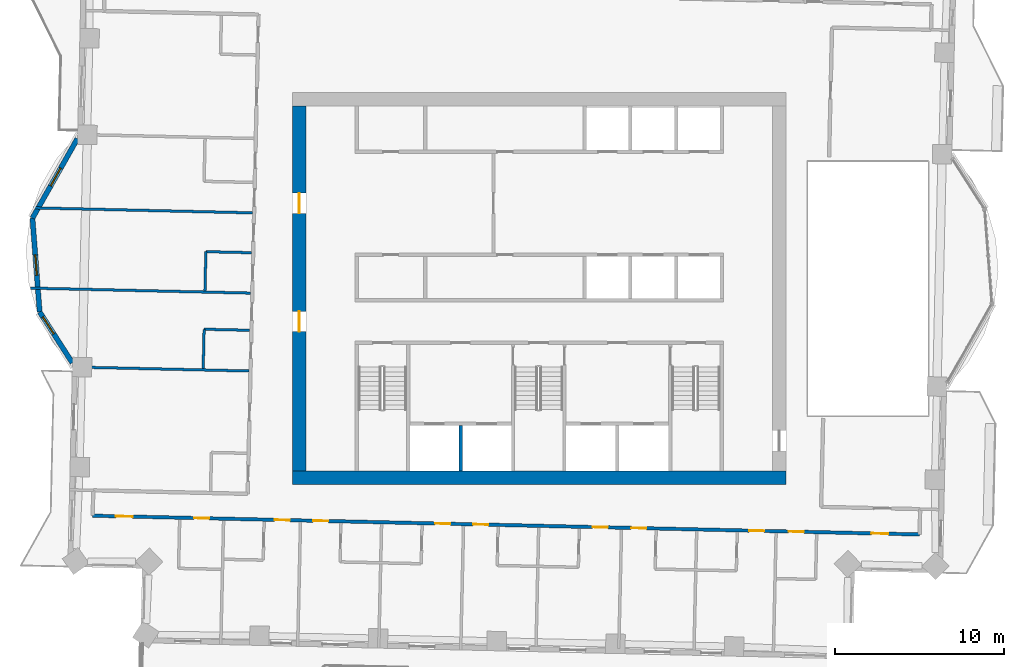
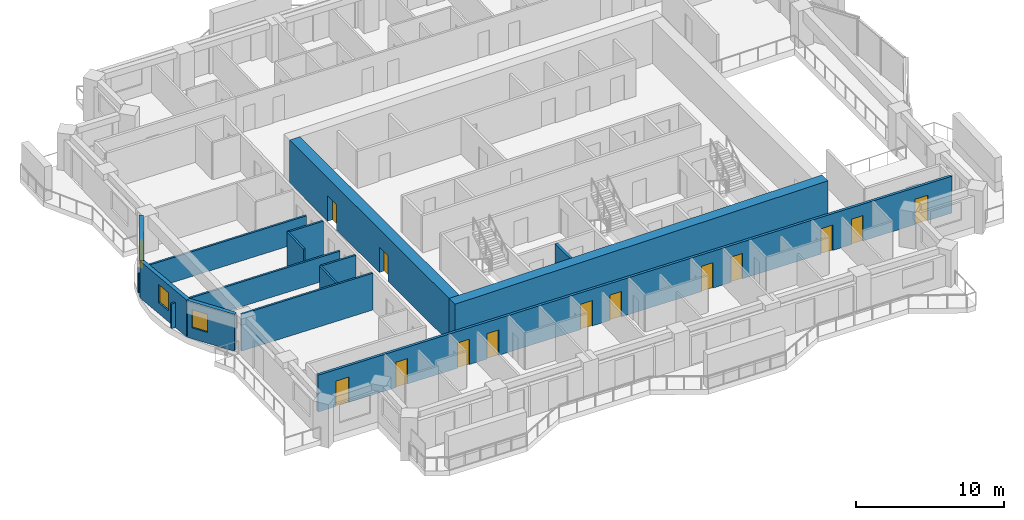
# One storey, part 5 of 14: 14 walls, 13 doors, 3 windows, 16 openings.
"""IFC4 building model written with IfcOpenShell, lengths in metres."""

import ifcopenshell
import ifcopenshell.guid

model = None  # the IFC model being written
_history = None  # IfcOwnerHistory: only IFC2X3 demands one
_inside = {}  # id of a spatial element -> (the spatial element, [elements in it])
_under = {}  # id of a project, library or spatial element -> (it, [spatial elements below it])
_declared = {}  # id of a project -> (the project, [libraries it declares])
_typed = {}  # id of a type object -> (the type object, [elements of that type])
_made_of = {}  # id of a material, layer set ... -> (it, [elements and type objects made of it])


def new_model(schema):
    """Start an empty IFC model of exactly this schema.

    Asked for "IFC4X3", IfcOpenShell would pick the latest addendum, in which some entities
    have other attributes; the version numbers below select the first issue.
    IFC2X3 requires an IfcOwnerHistory on every rooted entity: one is made here for all.
    """
    global model, _history
    if schema == "IFC4X3":
        model = ifcopenshell.file(schema_version=(4, 3, 0, 0))
    else:
        model = ifcopenshell.file(schema=schema)
    _inside.clear()
    _under.clear()
    _declared.clear()
    _typed.clear()
    _made_of.clear()
    _history = None
    if model.schema == "IFC2X3":
        org = make("IfcOrganization", Name="unknown")
        user = make(
            "IfcPersonAndOrganization",
            ThePerson=make("IfcPerson", FamilyName="unknown"),
            TheOrganization=org,
        )
        app = make(
            "IfcApplication",
            ApplicationDeveloper=org,
            Version="unknown",
            ApplicationFullName="unknown",
            ApplicationIdentifier="unknown",
        )
        _history = make(
            "IfcOwnerHistory",
            OwningUser=user,
            OwningApplication=app,
            ChangeAction="ADDED",
            CreationDate=0,
        )
    return model


def make(cls, **values):
    """One entity of the class cls with the attributes given. An attribute that is None is left unset."""
    return model.create_entity(
        cls, **{name: value for name, value in values.items() if value is not None}
    )


def rooted(cls, **values):
    """An entity with a GlobalId (a new one), such as an element, a storey or a relation."""
    return make(cls, GlobalId=ifcopenshell.guid.new(), OwnerHistory=_history, **values)


def si_unit(unit_type, name, prefix=None):
    """IfcSIUnit, for example si_unit("LENGTHUNIT", "METRE", prefix="MILLI")."""
    return make("IfcSIUnit", UnitType=unit_type, Prefix=prefix, Name=name)


def assignment(units):
    """IfcUnitAssignment: the units of a project."""
    return None if units is None else make("IfcUnitAssignment", Units=units)


def point(xyz):
    """IfcCartesianPoint."""
    return None if xyz is None else make("IfcCartesianPoint", Coordinates=xyz)


def direction(xyz):
    """IfcDirection."""
    return None if xyz is None else make("IfcDirection", DirectionRatios=xyz)


def frame(location, z_axis=None, x_axis=None):
    """IfcAxis2Placement3D, a coordinate frame: its origin and axes. An axis left out is left unset."""
    return make(
        "IfcAxis2Placement3D",
        Location=point(location),
        Axis=direction(z_axis),
        RefDirection=direction(x_axis),
    )


def frame_2d(location, x_axis=None):
    """IfcAxis2Placement2D, a coordinate frame in the plane: its origin and x axis."""
    return make(
        "IfcAxis2Placement2D", Location=point(location), RefDirection=direction(x_axis)
    )


def origin():
    """The frame at (0, 0, 0) with its axes left unset."""
    return frame((0.0, 0.0, 0.0))


def place(relative_to, where):
    """IfcLocalPlacement: puts the frame where relative to a parent placement (None: the world)."""
    return make(
        "IfcLocalPlacement", PlacementRelTo=relative_to, RelativePlacement=where
    )


def context(
    kind, dimensions, precision=None, world=None, true_north=None, identifier=None
):
    """IfcGeometricRepresentationContext, for example the 3D "Model" context."""
    return make(
        "IfcGeometricRepresentationContext",
        ContextIdentifier=identifier,
        ContextType=kind,
        CoordinateSpaceDimension=dimensions,
        Precision=precision,
        WorldCoordinateSystem=world,
        TrueNorth=true_north,
    )


def subcontext(parent, identifier, kind, view, scale=None):
    """IfcGeometricRepresentationSubContext, for example "Body" below "Model"."""
    return make(
        "IfcGeometricRepresentationSubContext",
        ContextIdentifier=identifier,
        ContextType=kind,
        ParentContext=parent,
        TargetScale=scale,
        TargetView=view,
    )


def project(units=None, contexts=None):
    """IfcProject with its units and contexts."""
    return rooted(
        "IfcProject",
        Name="project",
        RepresentationContexts=contexts,
        UnitsInContext=assignment(units),
    )


def spatial(cls, under=None, at=None, **own):
    """A site, building, storey or space (cls), placed at a placement, below another one or the project."""
    s = rooted(cls, ObjectPlacement=at, **own)
    if under is not None:
        _under.setdefault(under.id(), (under, []))[1].append(s)
    return s


def profile(cls, at=None, kind="AREA", **sizes):
    """A parametric profile (cls). Its sizes go by their IFC names, for example OverallWidth=200.0."""
    return make(cls, ProfileType=kind, Position=at, **sizes)


def rectangle(**sizes):
    """IfcRectangleProfileDef."""
    return profile("IfcRectangleProfileDef", **sizes)


def extrude(swept, where, along, depth):
    """IfcExtrudedAreaSolid: the profile swept, set in the frame where, extruded along a direction by depth."""
    return make(
        "IfcExtrudedAreaSolid",
        SweptArea=swept,
        Position=where,
        ExtrudedDirection=direction(along),
        Depth=depth,
    )


def shape(context_of_items, identifier, shape_type, items):
    """IfcShapeRepresentation: the items that make up one representation, for example the "Body"."""
    return make(
        "IfcShapeRepresentation",
        ContextOfItems=context_of_items,
        RepresentationIdentifier=identifier,
        RepresentationType=shape_type,
        Items=items,
    )


def material(Name=None, Category=None):
    """IfcMaterial."""
    return make("IfcMaterial", Name=Name, Category=Category)


def layer(
    of_material, thickness, ventilated=None, Name=None, Category=None, Priority=None
):
    """IfcMaterialLayer: one layer of a wall or slab, of a material (None: an air gap)."""
    return make(
        "IfcMaterialLayer",
        Material=of_material,
        LayerThickness=thickness,
        IsVentilated=ventilated,
        Name=Name,
        Category=Category,
        Priority=Priority,
    )


def layer_set(layers, Name=None):
    """IfcMaterialLayerSet."""
    return make("IfcMaterialLayerSet", MaterialLayers=layers, LayerSetName=Name)


def made_of(thing, what):
    """Note that an element or type object is made of a material, layer set ...; save() writes the relation."""
    if what is not None:
        _made_of.setdefault(what.id(), (what, []))[1].append(thing)
    return thing


def type_object(cls, material=None, **own):
    """A type object (cls), such as IfcWallType, which elements share."""
    return made_of(rooted(cls, **own), material)


def element(
    cls,
    number,
    at=None,
    inside=None,
    cuts=None,
    type_object=None,
    material=None,
    context=None,
    identifier="Body",
    shape_type=None,
    held_by="IfcProductDefinitionShape",
    body=None,
    shapes=None,
    **own,
):
    """One element of the class cls, such as IfcWall. Its Tag is "e" and its number.

    at: its placement. inside: the storey or other place that contains it. cuts: it is an
    opening in that element (IfcRelVoidsElement). A single representation is given by context,
    identifier, shape_type and body (its items); several are given by shapes. held_by: the class
    of the entity that holds the representations. save() writes the other relations.
    """
    e = rooted(cls, Tag="e%d" % number, ObjectPlacement=at, **own)
    if body is not None:
        shapes = [shape(context, identifier, shape_type, body)]
    if shapes is not None:
        e.Representation = make(held_by, Representations=shapes)
    if inside is not None:
        _inside.setdefault(inside.id(), (inside, []))[1].append(e)
    if cuts is not None:
        rooted(
            "IfcRelVoidsElement", RelatingBuildingElement=cuts, RelatedOpeningElement=e
        )
    if type_object is not None:
        _typed.setdefault(type_object.id(), (type_object, []))[1].append(e)
    return made_of(e, material)


def fill(opening, filler):
    """IfcRelFillsElement: the door or window that sits in an opening."""
    return rooted(
        "IfcRelFillsElement",
        RelatingOpeningElement=opening,
        RelatedBuildingElement=filler,
    )


def aggregate(whole, parts):
    """IfcRelAggregates: a whole, such as a stair, and the parts it consists of."""
    return rooted("IfcRelAggregates", RelatingObject=whole, RelatedObjects=parts)


def save(model, path):
    """Write the relations noted so far, then the file.

    IfcRelAggregates (storeys below a building ...), IfcRelContainedInSpatialStructure (elements
    in a storey), IfcRelDefinesByType, IfcRelAssociatesMaterial and IfcRelDeclares: one each for
    every whole, place, type object, material and project.
    """
    for whole, parts in _under.values():
        aggregate(whole, parts)
    for where, things in _inside.values():
        rooted(
            "IfcRelContainedInSpatialStructure",
            RelatedElements=things,
            RelatingStructure=where,
        )
    for kind, things in _typed.values():
        rooted("IfcRelDefinesByType", RelatedObjects=things, RelatingType=kind)
    for what, things in _made_of.values():
        rooted("IfcRelAssociatesMaterial", RelatedObjects=things, RelatingMaterial=what)
    for by, libraries in _declared.values():
        rooted("IfcRelDeclares", RelatingContext=by, RelatedDefinitions=libraries)
    model.write(path)


model = new_model("IFC4")

# Units and contexts
model_context = context("Model", 3, precision=1e-05, world=origin(), true_north=direction((0.0, 1.0)))
body_context = subcontext(model_context, "Body", "Model", "MODEL_VIEW")
ifc_project = project(units=[si_unit("LENGTHUNIT", "METRE"), si_unit("AREAUNIT", "SQUARE_METRE"), si_unit("VOLUMEUNIT", "CUBIC_METRE"), si_unit("PLANEANGLEUNIT", "RADIAN"), si_unit("MASSUNIT", "GRAM", prefix="KILO")], contexts=[model_context])

# Site, building, storey
site_placement = place(None, origin())
site = spatial("IfcSite", under=ifc_project, at=site_placement, CompositionType="ELEMENT")
building_placement = place(site_placement, origin())
building = spatial("IfcBuilding", under=site, at=building_placement, Name="Mangrove Gate Tower", CompositionType="ELEMENT")
storey_placement = place(building_placement, frame((0.0, 0.0, 205.10009765625)))
storey = spatial("IfcBuildingStorey", under=building, at=storey_placement, Name="L52", CompositionType="ELEMENT", Elevation=205.10009765625)

# Walls
ifc_material_1 = material(Name="Concrete C60/75", Category="concrete")
ifc_layer_1 = layer(ifc_material_1, 0.199951171875)
ifc_layer_set_1 = layer_set([ifc_layer_1], Name="Core shaft wall 200 C60/75")
wall_type_1 = type_object("IfcWallType", Name="Core shaft wall 200 C60/75", PredefinedType="SHEAR", material=ifc_layer_set_1)
wall_1_placement = place(storey_placement, frame((-4.64990234375, -10.800048828125, 0.0), z_axis=(0.0, 0.0, 1.0), x_axis=(0.0, 1.0, 0.0)))
element("IfcWall", 1, at=wall_1_placement, inside=storey, type_object=wall_type_1, Name="WALL-L52-CORE-16", PredefinedType="SHEAR", context=body_context, shape_type="SweptSolid", body=[
    extrude(rectangle(XDim=2.699951171875, YDim=0.199951171875, at=frame_2d((1.35009765625, 0.0))), origin(), (0.0, 0.0, 1.0), 3.0498046875),
])
ifc_material_2 = material(Name="Concrete C60/75", Category="concrete")
ifc_layer_2 = layer(ifc_material_2, 0.800048828125)
ifc_layer_set_2 = layer_set([ifc_layer_2], Name="Core wall 800 C60/75")
wall_type_2 = type_object("IfcWallType", Name="Core wall 800 C60/75", PredefinedType="SHEAR", material=ifc_layer_set_2)
wall_2_placement = place(storey_placement, frame((-14.60009765625, -11.199951171875, 0.0), z_axis=(0.0, 0.0, 1.0), x_axis=(1.0, 0.0, 0.0)))
element("IfcWall", 2, at=wall_2_placement, inside=storey, type_object=wall_type_2, Name="WALL-L52-CORE-1", PredefinedType="SHEAR", context=body_context, shape_type="SweptSolid", body=[
    extrude(rectangle(XDim=29.2001953125, YDim=0.800048828125, at=frame_2d((14.60009765625, 0.0))), origin(), (0.0, 0.0, 1.0), 3.599853515625),
])

# Wall, openings, doors
wall_3_placement = place(storey_placement, frame((-14.199951171875, -10.800048828125, 0.0), z_axis=(0.0, 0.0, 1.0), x_axis=(0.0, 1.0, 0.0)))
wall_3 = element("IfcWall", 3, at=wall_3_placement, inside=storey, type_object=wall_type_2, Name="WALL-L52-CORE-3", PredefinedType="SHEAR", context=body_context, shape_type="SweptSolid", body=[
    extrude(rectangle(XDim=21.60009765625, YDim=0.800048828125, at=frame_2d((10.800048828125, 0.0))), origin(), (0.0, 0.0, 1.0), 3.599853515625),
])
opening_1_placement = place(wall_3_placement, frame((8.25, 0.0, 0.0)))
opening_1 = element("IfcOpeningElement", 4, at=opening_1_placement, cuts=wall_3, Name="Opening CD", PredefinedType="OPENING", context=body_context, shape_type="SweptSolid", body=[
    extrude(rectangle(XDim=1.199951171875, YDim=2.10009765625, at=frame_2d((0.60009765625, 1.050048828125))), frame((0.0, 0.409912109375, 0.0), z_axis=(0.0, -1.0, 0.0), x_axis=(1.0, 0.0, 0.0)), (0.0, 0.0, 1.0), 0.820068359375),
])
opening_2_placement = place(wall_3_placement, frame((15.25, 0.0, 0.0)))
opening_2 = element("IfcOpeningElement", 5, at=opening_2_placement, cuts=wall_3, Name="Opening CD", PredefinedType="OPENING", context=body_context, shape_type="SweptSolid", body=[
    extrude(rectangle(XDim=1.199951171875, YDim=2.10009765625, at=frame_2d((0.60009765625, 1.050048828125))), frame((0.0, 0.409912109375, 0.0), z_axis=(0.0, -1.0, 0.0), x_axis=(1.0, 0.0, 0.0)), (0.0, 0.0, 1.0), 0.820068359375),
])
ifc_material_3 = material(Name="Fire-rated steel door set", Category="steel")
door_type_1 = type_object("IfcDoorType", Name="Core ring door FD60 1200x2100", OperationType="DOUBLE_DOOR_SINGLE_SWING", PredefinedType="DOOR", material=ifc_material_3)
door_1_placement = place(opening_1_placement, origin())
door_1 = element("IfcDoor", 6, at=door_1_placement, inside=storey, type_object=door_type_1, Name="Core ring door W1", OperationType="DOUBLE_DOOR_SINGLE_SWING", OverallHeight=2.10009765625, OverallWidth=1.199951171875, PredefinedType="DOOR", context=body_context, shape_type="SweptSolid", body=[
    extrude(rectangle(XDim=1.199951171875, YDim=2.10009765625, at=frame_2d((0.60009765625, 1.050048828125))), frame((0.0, 0.02490234375, 0.0), z_axis=(0.0, -1.0, 0.0), x_axis=(1.0, 0.0, 0.0)), (0.0, 0.0, 1.0), 0.050048828125),
])
fill(opening_1, door_1)
door_2_placement = place(opening_2_placement, origin())
door_2 = element("IfcDoor", 7, at=door_2_placement, inside=storey, type_object=door_type_1, Name="Core ring door W2", OperationType="DOUBLE_DOOR_SINGLE_SWING", OverallHeight=2.10009765625, OverallWidth=1.199951171875, PredefinedType="DOOR", context=body_context, shape_type="SweptSolid", body=[
    extrude(rectangle(XDim=1.199951171875, YDim=2.10009765625, at=frame_2d((0.60009765625, 1.050048828125))), frame((0.0, 0.02490234375, 0.0), z_axis=(0.0, -1.0, 0.0), x_axis=(1.0, 0.0, 0.0)), (0.0, 0.0, 1.0), 0.050048828125),
])
fill(opening_2, door_2)

ifc_material_4 = material(Name="Gypsum board on steel stud, EI 60", Category="steel")
ifc_layer_3 = layer(ifc_material_4, 0.199951171875)
ifc_layer_set_3 = layer_set([ifc_layer_3], Name="Corridor wall EI 60")
wall_type_3 = type_object("IfcWallType", Name="Corridor wall EI 60", PredefinedType="PARTITIONING", material=ifc_layer_set_3)
wall_4_placement = place(storey_placement, frame((-26.4208984375, -13.44091796875, 0.0), z_axis=(0.0, 0.0, 1.0), x_axis=(0.999742754064, -0.022680954485, 0.0)))
wall_4 = element("IfcWall", 8, at=wall_4_placement, inside=storey, type_object=wall_type_3, Name="WALL-L52-024", PredefinedType="PARTITIONING", context=body_context, shape_type="SweptSolid", body=[
    extrude(rectangle(XDim=48.944580078125, YDim=0.199951171875, at=frame_2d((24.47216796875, 0.0))), origin(), (0.0, 0.0, 1.0), 3.0498046875),
])
opening_3_placement = place(wall_4_placement, frame((1.375, 0.0, 0.0)))
opening_3 = element("IfcOpeningElement", 9, at=opening_3_placement, cuts=wall_4, Name="Opening AD", PredefinedType="OPENING", context=body_context, shape_type="SweptSolid", body=[
    extrude(rectangle(XDim=1.0, YDim=2.10009765625, at=frame_2d((0.5, 1.050048828125))), frame((0.0, 0.10986328125, 0.0), z_axis=(0.0, -1.0, 0.0), x_axis=(1.0, 0.0, 0.0)), (0.0, 0.0, 1.0), 0.219970703125),
])
opening_4_placement = place(wall_4_placement, frame((6.0, 0.0, 0.0)))
opening_4 = element("IfcOpeningElement", 10, at=opening_4_placement, cuts=wall_4, Name="Opening SD", PredefinedType="OPENING", context=body_context, shape_type="SweptSolid", body=[
    extrude(rectangle(XDim=0.89990234375, YDim=2.10009765625, at=frame_2d((0.449951171875, 1.050048828125))), frame((0.0, 0.10986328125, 0.0), z_axis=(0.0, -1.0, 0.0), x_axis=(1.0, 0.0, 0.0)), (0.0, 0.0, 1.0), 0.219970703125),
])
opening_5_placement = place(wall_4_placement, frame((10.77490234375, 0.0, 0.0)))
opening_5 = element("IfcOpeningElement", 11, at=opening_5_placement, cuts=wall_4, Name="Opening BD", PredefinedType="OPENING", context=body_context, shape_type="SweptSolid", body=[
    extrude(rectangle(XDim=0.89990234375, YDim=2.10009765625, at=frame_2d((0.449951171875, 1.050048828125))), frame((0.0, 0.10986328125, 0.0), z_axis=(0.0, -1.0, 0.0), x_axis=(1.0, 0.0, 0.0)), (0.0, 0.0, 1.0), 0.219970703125),
])
opening_6_placement = place(wall_4_placement, frame((13.050048828125, 0.0, 0.0)))
opening_6 = element("IfcOpeningElement", 12, at=opening_6_placement, cuts=wall_4, Name="Opening BD", PredefinedType="OPENING", context=body_context, shape_type="SweptSolid", body=[
    extrude(rectangle(XDim=0.89990234375, YDim=2.10009765625, at=frame_2d((0.449951171875, 1.050048828125))), frame((0.0, 0.10986328125, 0.0), z_axis=(0.0, -1.0, 0.0), x_axis=(1.0, 0.0, 0.0)), (0.0, 0.0, 1.0), 0.219970703125),
])
opening_7_placement = place(wall_4_placement, frame((20.27490234375, 0.0, 0.0)))
opening_7 = element("IfcOpeningElement", 13, at=opening_7_placement, cuts=wall_4, Name="Opening BD", PredefinedType="OPENING", context=body_context, shape_type="SweptSolid", body=[
    extrude(rectangle(XDim=0.89990234375, YDim=2.10009765625, at=frame_2d((0.449951171875, 1.050048828125))), frame((0.0, 0.10986328125, 0.0), z_axis=(0.0, -1.0, 0.0), x_axis=(1.0, 0.0, 0.0)), (0.0, 0.0, 1.0), 0.219970703125),
])
opening_8_placement = place(wall_4_placement, frame((22.52490234375, 0.0, 0.0)))
opening_8 = element("IfcOpeningElement", 14, at=opening_8_placement, cuts=wall_4, Name="Opening BD", PredefinedType="OPENING", context=body_context, shape_type="SweptSolid", body=[
    extrude(rectangle(XDim=0.89990234375, YDim=2.10009765625, at=frame_2d((0.449951171875, 1.050048828125))), frame((0.0, 0.10986328125, 0.0), z_axis=(0.0, -1.0, 0.0), x_axis=(1.0, 0.0, 0.0)), (0.0, 0.0, 1.0), 0.219970703125),
])
opening_9_placement = place(wall_4_placement, frame((29.60009765625, 0.0, 0.0)))
opening_9 = element("IfcOpeningElement", 15, at=opening_9_placement, cuts=wall_4, Name="Opening BD", PredefinedType="OPENING", context=body_context, shape_type="SweptSolid", body=[
    extrude(rectangle(XDim=0.89990234375, YDim=2.10009765625, at=frame_2d((0.449951171875, 1.050048828125))), frame((0.0, 0.10986328125, 0.0), z_axis=(0.0, -1.0, 0.0), x_axis=(1.0, 0.0, 0.0)), (0.0, 0.0, 1.0), 0.219970703125),
])
opening_10_placement = place(wall_4_placement, frame((31.875, 0.0, 0.0)))
opening_10 = element("IfcOpeningElement", 16, at=opening_10_placement, cuts=wall_4, Name="Opening BD", PredefinedType="OPENING", context=body_context, shape_type="SweptSolid", body=[
    extrude(rectangle(XDim=0.89990234375, YDim=2.10009765625, at=frame_2d((0.449951171875, 1.050048828125))), frame((0.0, 0.10986328125, 0.0), z_axis=(0.0, -1.0, 0.0), x_axis=(1.0, 0.0, 0.0)), (0.0, 0.0, 1.0), 0.219970703125),
])
opening_11_placement = place(wall_4_placement, frame((38.85009765625, 0.0, 0.0)))
opening_11 = element("IfcOpeningElement", 17, at=opening_11_placement, cuts=wall_4, Name="Opening BD", PredefinedType="OPENING", context=body_context, shape_type="SweptSolid", body=[
    extrude(rectangle(XDim=0.89990234375, YDim=2.10009765625, at=frame_2d((0.449951171875, 1.050048828125))), frame((0.0, 0.10986328125, 0.0), z_axis=(0.0, -1.0, 0.0), x_axis=(1.0, 0.0, 0.0)), (0.0, 0.0, 1.0), 0.219970703125),
])
opening_12_placement = place(wall_4_placement, frame((46.096923828125, 0.0, 0.0)))
opening_12 = element("IfcOpeningElement", 18, at=opening_12_placement, cuts=wall_4, Name="Opening AD", PredefinedType="OPENING", context=body_context, shape_type="SweptSolid", body=[
    extrude(rectangle(XDim=1.0, YDim=2.10009765625, at=frame_2d((0.5, 1.050048828125))), frame((0.0, 0.10986328125, 0.0), z_axis=(0.0, -1.0, 0.0), x_axis=(1.0, 0.0, 0.0)), (0.0, 0.0, 1.0), 0.219970703125),
])
opening_13_placement = place(wall_4_placement, frame((41.199951171875, 0.0, 0.0)))
opening_13 = element("IfcOpeningElement", 19, at=opening_13_placement, cuts=wall_4, Name="Opening SD", PredefinedType="OPENING", context=body_context, shape_type="SweptSolid", body=[
    extrude(rectangle(XDim=0.89990234375, YDim=2.10009765625, at=frame_2d((0.449951171875, 1.050048828125))), frame((0.0, 0.10986328125, 0.0), z_axis=(0.0, -1.0, 0.0), x_axis=(1.0, 0.0, 0.0)), (0.0, 0.0, 1.0), 0.219970703125),
])
ifc_material_5 = material(Name="Timber door leaf", Category="wood")
door_type_2 = type_object("IfcDoorType", Name="Amenity door 1000", OperationType="SINGLE_SWING_LEFT", PredefinedType="DOOR", material=ifc_material_5)
door_3_placement = place(opening_3_placement, origin())
door_3 = element("IfcDoor", 20, at=door_3_placement, inside=storey, type_object=door_type_2, Name="DOOR-L52-STU-c1a", OperationType="SINGLE_SWING_LEFT", OverallHeight=2.10009765625, OverallWidth=1.0, PredefinedType="DOOR", context=body_context, shape_type="SweptSolid", body=[
    extrude(rectangle(XDim=1.0, YDim=2.10009765625, at=frame_2d((0.5, 1.050048828125))), frame((0.0, 0.02490234375, 0.0), z_axis=(0.0, -1.0, 0.0), x_axis=(1.0, 0.0, 0.0)), (0.0, 0.0, 1.0), 0.050048828125),
])
fill(opening_3, door_3)
door_4_placement = place(opening_12_placement, origin())
door_4 = element("IfcDoor", 21, at=door_4_placement, inside=storey, type_object=door_type_2, Name="DOOR-L52-STU-c3a", OperationType="SINGLE_SWING_RIGHT", OverallHeight=2.10009765625, OverallWidth=1.0, PredefinedType="DOOR", context=body_context, shape_type="SweptSolid", body=[
    extrude(rectangle(XDim=1.0, YDim=2.10009765625, at=frame_2d((0.5, 1.050048828125))), frame((0.0, 0.02490234375, 0.0), z_axis=(0.0, -1.0, 0.0), x_axis=(1.0, 0.0, 0.0)), (0.0, 0.0, 1.0), 0.050048828125),
])
fill(opening_12, door_4)
ifc_material_6 = material(Name="Timber door leaf", Category="wood")
door_type_3 = type_object("IfcDoorType", Name="Bedroom door 900", OperationType="SINGLE_SWING_LEFT", PredefinedType="DOOR", material=ifc_material_6)
door_5_placement = place(opening_5_placement, origin())
door_5 = element("IfcDoor", 22, at=door_5_placement, inside=storey, type_object=door_type_3, Name="DOOR-L52-BED-c101", OperationType="SINGLE_SWING_LEFT", OverallHeight=2.10009765625, OverallWidth=0.89990234375, PredefinedType="DOOR", context=body_context, shape_type="SweptSolid", body=[
    extrude(rectangle(XDim=0.89990234375, YDim=2.10009765625, at=frame_2d((0.449951171875, 1.050048828125))), frame((0.0, 0.02490234375, 0.0), z_axis=(0.0, -1.0, 0.0), x_axis=(1.0, 0.0, 0.0)), (0.0, 0.0, 1.0), 0.050048828125),
])
fill(opening_5, door_5)
door_6_placement = place(opening_6_placement, origin())
door_6 = element("IfcDoor", 23, at=door_6_placement, inside=storey, type_object=door_type_3, Name="DOOR-L52-BED-c102", OperationType="SINGLE_SWING_RIGHT", OverallHeight=2.10009765625, OverallWidth=0.89990234375, PredefinedType="DOOR", context=body_context, shape_type="SweptSolid", body=[
    extrude(rectangle(XDim=0.89990234375, YDim=2.10009765625, at=frame_2d((0.449951171875, 1.050048828125))), frame((0.0, 0.02490234375, 0.0), z_axis=(0.0, -1.0, 0.0), x_axis=(1.0, 0.0, 0.0)), (0.0, 0.0, 1.0), 0.050048828125),
])
fill(opening_6, door_6)
door_7_placement = place(opening_7_placement, origin())
door_7 = element("IfcDoor", 24, at=door_7_placement, inside=storey, type_object=door_type_3, Name="DOOR-L52-BED-c103", OperationType="SINGLE_SWING_LEFT", OverallHeight=2.10009765625, OverallWidth=0.89990234375, PredefinedType="DOOR", context=body_context, shape_type="SweptSolid", body=[
    extrude(rectangle(XDim=0.89990234375, YDim=2.10009765625, at=frame_2d((0.449951171875, 1.050048828125))), frame((0.0, 0.02490234375, 0.0), z_axis=(0.0, -1.0, 0.0), x_axis=(1.0, 0.0, 0.0)), (0.0, 0.0, 1.0), 0.050048828125),
])
fill(opening_7, door_7)
door_8_placement = place(opening_8_placement, origin())
door_8 = element("IfcDoor", 25, at=door_8_placement, inside=storey, type_object=door_type_3, Name="DOOR-L52-BED-c204", OperationType="SINGLE_SWING_RIGHT", OverallHeight=2.10009765625, OverallWidth=0.89990234375, PredefinedType="DOOR", context=body_context, shape_type="SweptSolid", body=[
    extrude(rectangle(XDim=0.89990234375, YDim=2.10009765625, at=frame_2d((0.449951171875, 1.050048828125))), frame((0.0, 0.02490234375, 0.0), z_axis=(0.0, -1.0, 0.0), x_axis=(1.0, 0.0, 0.0)), (0.0, 0.0, 1.0), 0.050048828125),
])
fill(opening_8, door_8)
door_9_placement = place(opening_9_placement, origin())
door_9 = element("IfcDoor", 26, at=door_9_placement, inside=storey, type_object=door_type_3, Name="DOOR-L52-BED-c205", OperationType="SINGLE_SWING_LEFT", OverallHeight=2.10009765625, OverallWidth=0.89990234375, PredefinedType="DOOR", context=body_context, shape_type="SweptSolid", body=[
    extrude(rectangle(XDim=0.89990234375, YDim=2.10009765625, at=frame_2d((0.449951171875, 1.050048828125))), frame((0.0, 0.02490234375, 0.0), z_axis=(0.0, -1.0, 0.0), x_axis=(1.0, 0.0, 0.0)), (0.0, 0.0, 1.0), 0.050048828125),
])
fill(opening_9, door_9)
door_10_placement = place(opening_10_placement, origin())
door_10 = element("IfcDoor", 27, at=door_10_placement, inside=storey, type_object=door_type_3, Name="DOOR-L52-BED-c206", OperationType="SINGLE_SWING_RIGHT", OverallHeight=2.10009765625, OverallWidth=0.89990234375, PredefinedType="DOOR", context=body_context, shape_type="SweptSolid", body=[
    extrude(rectangle(XDim=0.89990234375, YDim=2.10009765625, at=frame_2d((0.449951171875, 1.050048828125))), frame((0.0, 0.02490234375, 0.0), z_axis=(0.0, -1.0, 0.0), x_axis=(1.0, 0.0, 0.0)), (0.0, 0.0, 1.0), 0.050048828125),
])
fill(opening_10, door_10)
door_11_placement = place(opening_11_placement, origin())
door_11 = element("IfcDoor", 28, at=door_11_placement, inside=storey, type_object=door_type_3, Name="DOOR-L52-BED-c307", OperationType="SINGLE_SWING_LEFT", OverallHeight=2.10009765625, OverallWidth=0.89990234375, PredefinedType="DOOR", context=body_context, shape_type="SweptSolid", body=[
    extrude(rectangle(XDim=0.89990234375, YDim=2.10009765625, at=frame_2d((0.449951171875, 1.050048828125))), frame((0.0, 0.02490234375, 0.0), z_axis=(0.0, -1.0, 0.0), x_axis=(1.0, 0.0, 0.0)), (0.0, 0.0, 1.0), 0.050048828125),
])
fill(opening_11, door_11)
ifc_material_7 = material(Name="Timber door leaf", Category="wood")
door_type_4 = type_object("IfcDoorType", Name="Service room door 900", OperationType="SINGLE_SWING_LEFT", PredefinedType="DOOR", material=ifc_material_7)
door_12_placement = place(opening_4_placement, origin())
door_12 = element("IfcDoor", 29, at=door_12_placement, inside=storey, type_object=door_type_4, Name="DOOR-L52-AWC-c1a", OperationType="SINGLE_SWING_LEFT", OverallHeight=2.10009765625, OverallWidth=0.89990234375, PredefinedType="DOOR", context=body_context, shape_type="SweptSolid", body=[
    extrude(rectangle(XDim=0.89990234375, YDim=2.10009765625, at=frame_2d((0.449951171875, 1.050048828125))), frame((0.0, 0.02490234375, 0.0), z_axis=(0.0, -1.0, 0.0), x_axis=(1.0, 0.0, 0.0)), (0.0, 0.0, 1.0), 0.050048828125),
])
fill(opening_4, door_12)
door_13_placement = place(opening_13_placement, origin())
door_13 = element("IfcDoor", 30, at=door_13_placement, inside=storey, type_object=door_type_4, Name="DOOR-L52-WC-c3a", OperationType="SINGLE_SWING_RIGHT", OverallHeight=2.10009765625, OverallWidth=0.89990234375, PredefinedType="DOOR", context=body_context, shape_type="SweptSolid", body=[
    extrude(rectangle(XDim=0.89990234375, YDim=2.10009765625, at=frame_2d((0.449951171875, 1.050048828125))), frame((0.0, 0.02490234375, 0.0), z_axis=(0.0, -1.0, 0.0), x_axis=(1.0, 0.0, 0.0)), (0.0, 0.0, 1.0), 0.050048828125),
])
fill(opening_13, door_13)

# Wall, opening, window
ifc_material_8 = material(Name="Limestone", Category="masonry")
ifc_layer_4 = layer(ifc_material_8, 0.0400390625, Name="Limestone cladding")
ifc_material_9 = material(Name="Ventilated air gap")
ifc_layer_5 = layer(ifc_material_9, 0.0400390625, Name="Ventilated cavity")
ifc_material_10 = material(Name="Mineral wool insulation")
ifc_layer_6 = layer(ifc_material_10, 0.06005859375, Name="Insulation")
ifc_material_11 = material(Name="Breather membrane")
ifc_layer_7 = layer(ifc_material_11, 0.001953125, Name="Breather membrane")
ifc_material_12 = material(Name="Concrete C20/25 blockwork", Category="masonry")
ifc_layer_8 = layer(ifc_material_12, 0.14990234375, Name="Blockwork backing wall")
ifc_material_13 = material(Name="Gypsum plaster")
ifc_layer_9 = layer(ifc_material_13, 0.008056640625, Name="Internal plaster")
ifc_layer_set_4 = layer_set([ifc_layer_4, ifc_layer_5, ifc_layer_6, ifc_layer_7, ifc_layer_8, ifc_layer_9], Name="External wall 300 limestone cladding")
wall_type_4 = type_object("IfcWallType", Name="External wall 300 limestone cladding", PredefinedType="SOLIDWALL", material=ifc_layer_set_4)
wall_5_placement = place(storey_placement, frame((-27.324951171875, 8.865966796875, 0.0), z_axis=(0.0, 0.0, 1.0), x_axis=(-0.492554919955, -0.870281363025, 0.0)))
wall_5 = element("IfcWall", 31, at=wall_5_placement, inside=storey, type_object=wall_type_4, Name="WALL-L52-W9f1", PredefinedType="SOLIDWALL", context=body_context, shape_type="SweptSolid", body=[
    extrude(rectangle(XDim=5.398193359375, YDim=0.300048828125, at=frame_2d((2.69921875, 0.0))), origin(), (0.0, 0.0, 1.0), 3.0498046875),
])
opening_14_placement = place(wall_5_placement, frame((2.008056640625, 0.0, 0.89990234375)))
opening_14 = element("IfcOpeningElement", 32, at=opening_14_placement, cuts=wall_5, Name="Opening W1", PredefinedType="OPENING", context=body_context, shape_type="SweptSolid", body=[
    extrude(rectangle(XDim=1.199951171875, YDim=1.5, at=frame_2d((0.60009765625, 0.75))), frame((0.0, 0.159912109375, 0.0), z_axis=(0.0, -1.0, 0.0), x_axis=(1.0, 0.0, 0.0)), (0.0, 0.0, 1.0), 0.320068359375),
])
ifc_material_14 = material(Name="Aluminium frame with double-glazed low-e glass", Category="aluminium")
window_type = type_object("IfcWindowType", Name="Side lite 1200x1500", PartitioningType="SINGLE_PANEL", PredefinedType="WINDOW", material=ifc_material_14)
window_1_placement = place(opening_14_placement, origin())
window_1 = element("IfcWindow", 33, at=window_1_placement, inside=storey, type_object=window_type, Name="WIN-L52-W9f1", OverallHeight=1.5, OverallWidth=1.199951171875, PartitioningType="SINGLE_PANEL", PredefinedType="WINDOW", context=body_context, shape_type="SweptSolid", body=[
    extrude(rectangle(XDim=1.199951171875, YDim=1.5, at=frame_2d((0.60009765625, 0.75))), frame((0.0, 0.030029296875, 0.0), z_axis=(0.0, -1.0, 0.0), x_axis=(1.0, 0.0, 0.0)), (0.0, 0.0, 1.0), 0.06005859375),
])
fill(opening_14, window_1)

wall_6_placement = place(storey_placement, frame((-29.98388671875, 4.16796875, 0.0), z_axis=(0.0, 0.0, 1.0), x_axis=(0.076964476481, -0.997033835614, 0.0)))
wall_6 = element("IfcWall", 34, at=wall_6_placement, inside=storey, type_object=wall_type_4, Name="WALL-L52-W9f2", PredefinedType="SOLIDWALL", context=body_context, shape_type="SweptSolid", body=[
    extrude(rectangle(XDim=5.573486328125, YDim=0.300048828125, at=frame_2d((2.78662109375, 0.0))), origin(), (0.0, 0.0, 1.0), 3.0498046875),
])
opening_15_placement = place(wall_6_placement, frame((2.18603515625, 0.0, 0.89990234375)))
opening_15 = element("IfcOpeningElement", 35, at=opening_15_placement, cuts=wall_6, Name="Opening W1", PredefinedType="OPENING", context=body_context, shape_type="SweptSolid", body=[
    extrude(rectangle(XDim=1.199951171875, YDim=1.5, at=frame_2d((0.60009765625, 0.75))), frame((0.0, 0.159912109375, 0.0), z_axis=(0.0, -1.0, 0.0), x_axis=(1.0, 0.0, 0.0)), (0.0, 0.0, 1.0), 0.320068359375),
])
window_2_placement = place(opening_15_placement, origin())
window_2 = element("IfcWindow", 36, at=window_2_placement, inside=storey, type_object=window_type, Name="WIN-L52-W9f2", OverallHeight=1.5, OverallWidth=1.199951171875, PartitioningType="SINGLE_PANEL", PredefinedType="WINDOW", context=body_context, shape_type="SweptSolid", body=[
    extrude(rectangle(XDim=1.199951171875, YDim=1.5, at=frame_2d((0.60009765625, 0.75))), frame((0.0, 0.030029296875, 0.0), z_axis=(0.0, -1.0, 0.0), x_axis=(1.0, 0.0, 0.0)), (0.0, 0.0, 1.0), 0.06005859375),
])
fill(opening_15, window_2)

wall_7_placement = place(storey_placement, frame((-29.554931640625, -1.388916015625, 0.0), z_axis=(0.0, 0.0, 1.0), x_axis=(0.540622779574, -0.8412651248, 0.0)))
wall_7 = element("IfcWall", 37, at=wall_7_placement, inside=storey, type_object=wall_type_4, Name="WALL-L52-W9f3", PredefinedType="SOLIDWALL", context=body_context, shape_type="SweptSolid", body=[
    extrude(rectangle(XDim=3.56982421875, YDim=0.300048828125, at=frame_2d((1.784912109375, 0.0))), origin(), (0.0, 0.0, 1.0), 3.0498046875),
])
opening_16_placement = place(wall_7_placement, frame((0.337890625, 0.0, 0.89990234375)))
opening_16 = element("IfcOpeningElement", 38, at=opening_16_placement, cuts=wall_7, Name="Opening W1", PredefinedType="OPENING", context=body_context, shape_type="SweptSolid", body=[
    extrude(rectangle(XDim=1.199951171875, YDim=1.5, at=frame_2d((0.60009765625, 0.75))), frame((0.0, 0.159912109375, 0.0), z_axis=(0.0, -1.0, 0.0), x_axis=(1.0, 0.0, 0.0)), (0.0, 0.0, 1.0), 0.320068359375),
])
window_3_placement = place(opening_16_placement, origin())
window_3 = element("IfcWindow", 39, at=window_3_placement, inside=storey, type_object=window_type, Name="WIN-L52-W9f3", OverallHeight=1.5, OverallWidth=1.199951171875, PartitioningType="SINGLE_PANEL", PredefinedType="WINDOW", context=body_context, shape_type="SweptSolid", body=[
    extrude(rectangle(XDim=1.199951171875, YDim=1.5, at=frame_2d((0.60009765625, 0.75))), frame((0.0, 0.030029296875, 0.0), z_axis=(0.0, -1.0, 0.0), x_axis=(1.0, 0.0, 0.0)), (0.0, 0.0, 1.0), 0.06005859375),
])
fill(opening_16, window_3)

# Walls
ifc_material_15 = material(Name="Gypsum board on steel stud, EI 60", Category="steel")
ifc_layer_10 = layer(ifc_material_15, 0.14990234375)
ifc_layer_set_5 = layer_set([ifc_layer_10], Name="Party wall 150 EI 60")
wall_type_5 = type_object("IfcWallType", Name="Party wall 150 EI 60", PredefinedType="PARTITIONING", material=ifc_layer_set_5)
wall_8_placement = place(storey_placement, frame((-27.322021484375, -4.64794921875, 0.0), z_axis=(0.0, 0.0, 1.0), x_axis=(0.999742841246, -0.022677111331, 0.0)))
element("IfcWall", 40, at=wall_8_placement, inside=storey, type_object=wall_type_5, Name="WALL-L52-035", PredefinedType="PARTITIONING", context=body_context, shape_type="SweptSolid", body=[
    extrude(rectangle(XDim=10.1416015625, YDim=0.14990234375, at=frame_2d((5.07080078125, 0.0))), origin(), (0.0, 0.0, 1.0), 3.0498046875),
])
wall_9_placement = place(storey_placement, frame((-19.8798828125, -4.737060546875, 0.0), z_axis=(0.0, 0.0, 1.0), x_axis=(0.02279059109, 0.999740260747, 0.0)))
element("IfcWall", 41, at=wall_9_placement, inside=storey, type_object=wall_type_5, Name="WALL-L52-036", PredefinedType="PARTITIONING", context=body_context, shape_type="SweptSolid", body=[
    extrude(rectangle(XDim=2.324462890625, YDim=0.14990234375, at=frame_2d((1.162109375, 0.0))), origin(), (0.0, 0.0, 1.0), 3.0498046875),
])
wall_10_placement = place(storey_placement, frame((-19.827880859375, -2.407958984375, 0.0), z_axis=(0.0, 0.0, 1.0), x_axis=(0.99974458177, -0.022600248254, 0.0)))
element("IfcWall", 42, at=wall_10_placement, inside=storey, type_object=wall_type_5, Name="WALL-L52-037", PredefinedType="PARTITIONING", context=body_context, shape_type="SweptSolid", body=[
    extrude(rectangle(XDim=2.70068359375, YDim=0.14990234375, at=frame_2d((1.350341796875, 0.0))), origin(), (0.0, 0.0, 1.0), 3.0498046875),
])
wall_11_placement = place(storey_placement, frame((-19.77490234375, -0.137939453125, 0.0), z_axis=(0.0, 0.0, 1.0), x_axis=(0.02279059109, 0.999740260747, 0.0)))
element("IfcWall", 43, at=wall_11_placement, inside=storey, type_object=wall_type_5, Name="WALL-L52-038", PredefinedType="PARTITIONING", context=body_context, shape_type="SweptSolid", body=[
    extrude(rectangle(XDim=2.324462890625, YDim=0.14990234375, at=frame_2d((1.162109375, 0.0))), origin(), (0.0, 0.0, 1.0), 3.0498046875),
])
wall_12_placement = place(storey_placement, frame((-30.110107421875, 0.02587890625, 0.0), z_axis=(0.0, 0.0, 1.0), x_axis=(0.999743987427, -0.022626524343, 0.0)))
element("IfcWall", 44, at=wall_12_placement, inside=storey, type_object=wall_type_5, Name="WALL-L52-039", PredefinedType="PARTITIONING", context=body_context, shape_type="SweptSolid", body=[
    extrude(rectangle(XDim=13.034423828125, YDim=0.14990234375, at=frame_2d((6.51708984375, 0.0))), origin(), (0.0, 0.0, 1.0), 2.0498046875),
])
wall_13_placement = place(storey_placement, frame((-19.72412109375, 2.180908203125, 0.0), z_axis=(0.0, 0.0, 1.0), x_axis=(0.999746666054, -0.022507858937, 0.0)))
element("IfcWall", 45, at=wall_13_placement, inside=storey, type_object=wall_type_5, Name="WALL-L52-040", PredefinedType="PARTITIONING", context=body_context, shape_type="SweptSolid", body=[
    extrude(rectangle(XDim=2.700927734375, YDim=0.14990234375, at=frame_2d((1.3505859375, 0.0))), origin(), (0.0, 0.0, 1.0), 3.0498046875),
])
wall_14_placement = place(storey_placement, frame((-29.94091796875, 4.77392578125, 0.0), z_axis=(0.0, 0.0, 1.0), x_axis=(0.999741573163, -0.022732947207, 0.0)))
element("IfcWall", 46, at=wall_14_placement, inside=storey, type_object=wall_type_5, Name="WALL-L52-041", PredefinedType="PARTITIONING", context=body_context, shape_type="SweptSolid", body=[
    extrude(rectangle(XDim=12.973388671875, YDim=0.14990234375, at=frame_2d((6.48681640625, 0.0))), origin(), (0.0, 0.0, 1.0), 2.0498046875),
])

save(model, "model.ifc")
